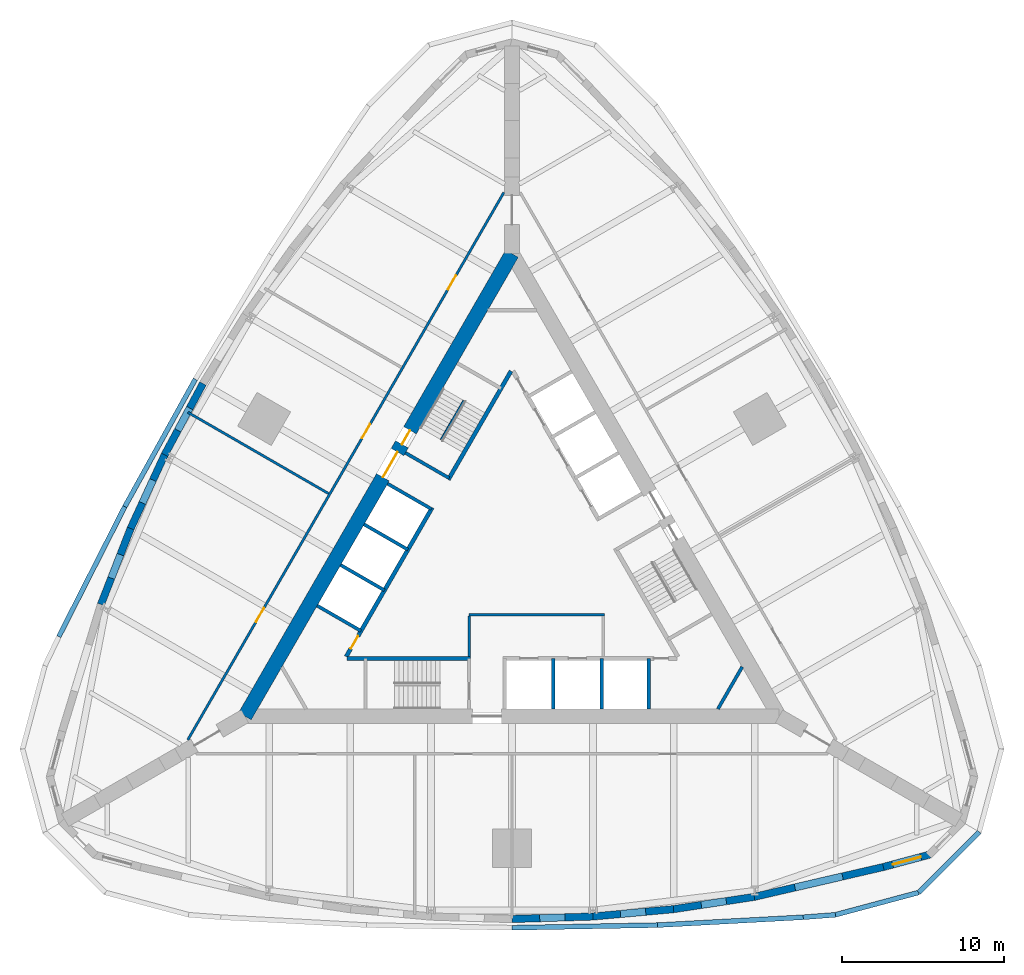
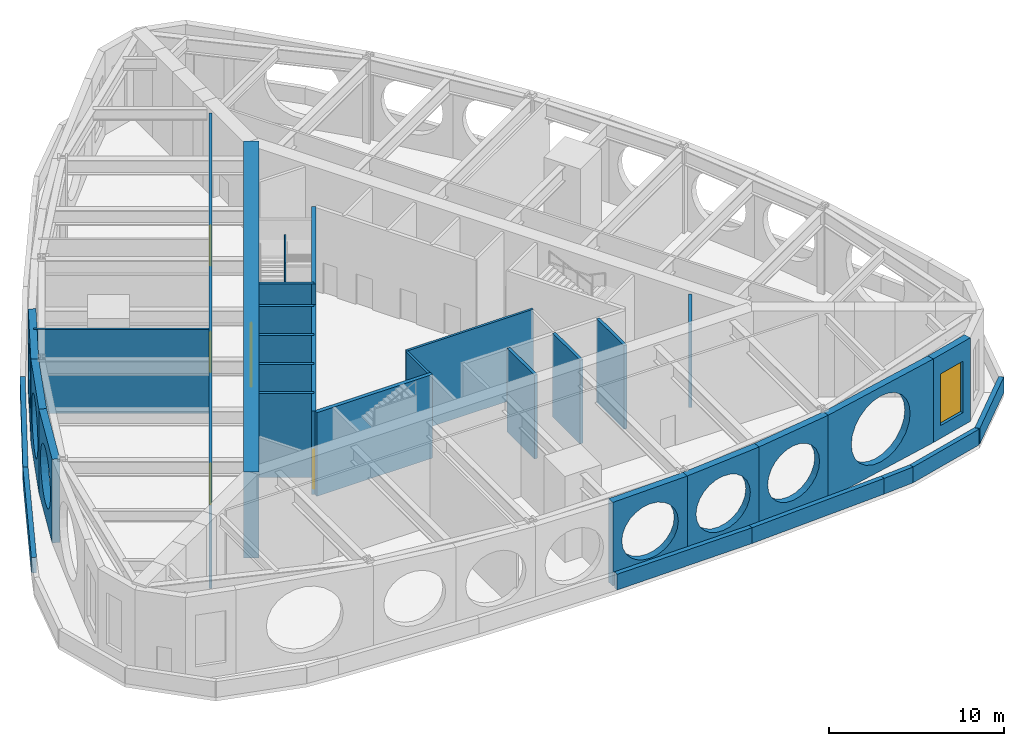
# One storey, part 4 of 8: 33 walls, 6 doors, 1 window, 7 openings.
"""IFC4 building model written with IfcOpenShell, lengths in metres."""

from ifc_helpers import new_model, si_unit, direction, frame, frame_2d, origin, place, context, subcontext, project, spatial, polyline, rectangle, outline, extrude, material, layer, layer_set, type_object, element, fill, save


model = new_model("IFC4")

# Units and contexts
model_context = context("Model", 3, precision=1e-05, world=origin(), true_north=direction((0.0, 1.0)))
body_context = subcontext(model_context, "Body", "Model", "MODEL_VIEW")
ifc_project = project(units=[si_unit("LENGTHUNIT", "METRE"), si_unit("AREAUNIT", "SQUARE_METRE"), si_unit("VOLUMEUNIT", "CUBIC_METRE"), si_unit("PLANEANGLEUNIT", "RADIAN"), si_unit("MASSUNIT", "GRAM", prefix="KILO")], contexts=[model_context])

# Site, building, storey
site_placement = place(None, origin())
site = spatial("IfcSite", under=ifc_project, at=site_placement, CompositionType="ELEMENT")
building_placement = place(site_placement, origin())
building = spatial("IfcBuilding", under=site, at=building_placement, Name="Trikona Tower", CompositionType="ELEMENT")
storey_placement = place(building_placement, frame((0.0, 0.0, 22.5)))
storey = spatial("IfcBuildingStorey", under=building, at=storey_placement, Name="L04", CompositionType="ELEMENT", Elevation=22.5)

# Wall, opening, window
ifc_material_1 = material(Name="Brick-faced precast concrete", Category="masonry")
ifc_layer_1 = layer(ifc_material_1, 0.449951171875)
ifc_layer_set_1 = layer_set([ifc_layer_1], Name="Brick-faced corner wall 450")
wall_type_1 = type_object("IfcWallType", Name="Brick-faced corner wall 450", PredefinedType="SOLIDWALL", material=ifc_layer_set_1)
wall_1_placement = place(storey_placement, frame((22.94189453125, -18.835205078125, 0.0), z_axis=(0.0, 0.0, 1.0), x_axis=(0.965930548995, 0.258801419081, 0.0)))
wall_1 = element("IfcWall", 1, at=wall_1_placement, inside=storey, type_object=wall_type_1, Name="External wall L04-08", PredefinedType="SOLIDWALL", context=body_context, shape_type="SweptSolid", body=[
    extrude(rectangle(XDim=2.988525390625, YDim=0.449951171875, at=frame_2d((1.494140625, 0.0))), origin(), (0.0, 0.0, 1.0), 5.8349609375),
])
opening_1_placement = place(wall_1_placement, frame((0.59423828125, 0.0, 0.89990234375)))
opening_1 = element("IfcOpeningElement", 2, at=opening_1_placement, cuts=wall_1, Name="Opening W1836", PredefinedType="OPENING", context=body_context, shape_type="SweptSolid", body=[
    extrude(rectangle(XDim=1.800048828125, YDim=3.60009765625, at=frame_2d((0.89990234375, 1.800048828125))), frame((0.0, 0.23486328125, 0.0), z_axis=(0.0, -1.0, 0.0), x_axis=(1.0, 0.0, 0.0)), (0.0, 0.0, 1.0), 0.469970703125),
])
ifc_material_2 = material(Name="Aluminium-framed double glazing", Category="aluminium")
window_type = type_object("IfcWindowType", Name="Window 1800x3600", PartitioningType="SINGLE_PANEL", PredefinedType="WINDOW", material=ifc_material_2)
window_placement = place(opening_1_placement, origin())
window = element("IfcWindow", 3, at=window_placement, inside=storey, type_object=window_type, Name="Window L04-RFG1", OverallHeight=3.60009765625, OverallWidth=1.800048828125, PartitioningType="SINGLE_PANEL", PredefinedType="WINDOW", context=body_context, shape_type="SweptSolid", body=[
    extrude(rectangle(XDim=1.800048828125, YDim=3.60009765625, at=frame_2d((0.89990234375, 1.800048828125))), frame((0.0, 0.030029296875, 0.0), z_axis=(0.0, -1.0, 0.0), x_axis=(1.0, 0.0, 0.0)), (0.0, 0.0, 1.0), 0.06005859375),
])
fill(opening_1, window)

# Walls
ifc_material_3 = material(Name="Brick-faced precast concrete with louvred openings", Category="masonry")
ifc_layer_2 = layer(ifc_material_3, 0.449951171875)
ifc_layer_set_2 = layer_set([ifc_layer_2], Name="Brick-faced plant wall 450")
wall_type_2 = type_object("IfcWallType", Name="Brick-faced plant wall 450", PredefinedType="SOLIDWALL", material=ifc_layer_set_2)
wall_2_placement = place(storey_placement, frame((-0.0068359375, -22.047607421875, 0.0), z_axis=(0.0, 0.0, 1.0), x_axis=(0.999537635046, 0.030405856769, 0.0)))
element("IfcWall", 4, at=wall_2_placement, inside=storey, type_object=wall_type_2, Name="External wall L04-04", PredefinedType="SOLIDWALL", context=body_context, shape_type="SweptSolid", body=[
    extrude(outline(polyline([(0.0, 0.0), (5.002197265625, 0.0), (5.002197265625, 5.8349609375), (0.0, 5.8349609375), (0.0, 0.0)]), holes=[polyline([(4.401123046875, 2.91748046875), (4.33642578125, 3.4091796875), (4.146484375, 3.867431640625), (3.8447265625, 4.260986328125), (3.451171875, 4.56298828125), (2.992919921875, 4.752685546875), (2.501220703125, 4.8173828125), (2.009521484375, 4.752685546875), (1.55126953125, 4.56298828125), (1.15771484375, 4.260986328125), (0.855712890625, 3.867431640625), (0.666015625, 3.4091796875), (0.601318359375, 2.91748046875), (0.666015625, 2.42578125), (0.855712890625, 1.967529296875), (1.15771484375, 1.573974609375), (1.55126953125, 1.272216796875), (2.009521484375, 1.082275390625), (2.501220703125, 1.017578125), (2.992919921875, 1.082275390625), (3.451171875, 1.272216796875), (3.8447265625, 1.573974609375), (4.146484375, 1.967529296875), (4.33642578125, 2.42578125), (4.401123046875, 2.91748046875)])]), frame((0.0, 0.22509765625, 0.0), z_axis=(0.0, -1.0, 0.0), x_axis=(1.0, 0.0, 0.0)), (0.0, 0.0, 1.0), 0.449951171875),
])
wall_3_placement = place(storey_placement, frame((4.9794921875, -21.896240234375, 0.0), z_axis=(0.0, 0.0, 1.0), x_axis=(0.995857256774, 0.090930325692, 0.0)))
element("IfcWall", 5, at=wall_3_placement, inside=storey, type_object=wall_type_2, Name="External wall L04-05", PredefinedType="SOLIDWALL", context=body_context, shape_type="SweptSolid", body=[
    extrude(outline(polyline([(0.0, 0.0), (5.020751953125, 0.0), (5.020751953125, 5.8349609375), (0.0, 5.8349609375), (0.0, 0.0)]), holes=[polyline([(4.410400390625, 2.91748046875), (4.345703125, 3.4091796875), (4.15576171875, 3.867431640625), (3.85400390625, 4.260986328125), (3.46044921875, 4.56298828125), (3.002197265625, 4.752685546875), (2.510498046875, 4.8173828125), (2.0185546875, 4.752685546875), (1.560302734375, 4.56298828125), (1.1669921875, 4.260986328125), (0.864990234375, 3.867431640625), (0.675048828125, 3.4091796875), (0.6103515625, 2.91748046875), (0.675048828125, 2.42578125), (0.864990234375, 1.967529296875), (1.1669921875, 1.573974609375), (1.560302734375, 1.272216796875), (2.0185546875, 1.082275390625), (2.510498046875, 1.017578125), (3.002197265625, 1.082275390625), (3.46044921875, 1.272216796875), (3.85400390625, 1.573974609375), (4.15576171875, 1.967529296875), (4.345703125, 2.42578125), (4.410400390625, 2.91748046875)])]), frame((0.0, 0.22509765625, 0.0), z_axis=(0.0, -1.0, 0.0), x_axis=(1.0, 0.0, 0.0)), (0.0, 0.0, 1.0), 0.449951171875),
])
wall_4_placement = place(storey_placement, frame((9.966064453125, -21.44140625, 0.0), z_axis=(0.0, 0.0, 1.0), x_axis=(0.988622582897, 0.150417381265, 0.0)))
element("IfcWall", 6, at=wall_4_placement, inside=storey, type_object=wall_type_2, Name="External wall L04-06", PredefinedType="SOLIDWALL", context=body_context, shape_type="SweptSolid", body=[
    extrude(outline(polyline([(0.0, 0.0), (5.0576171875, 0.0), (5.0576171875, 5.8349609375), (0.0, 5.8349609375), (0.0, 0.0)]), holes=[polyline([(4.4287109375, 2.91748046875), (4.364013671875, 3.4091796875), (4.17431640625, 3.867431640625), (3.872314453125, 4.260986328125), (3.478759765625, 4.56298828125), (3.0205078125, 4.752685546875), (2.52880859375, 4.8173828125), (2.037109375, 4.752685546875), (1.578857421875, 4.56298828125), (1.185302734375, 4.260986328125), (0.88330078125, 3.867431640625), (0.693603515625, 3.4091796875), (0.62890625, 2.91748046875), (0.693603515625, 2.42578125), (0.88330078125, 1.967529296875), (1.185302734375, 1.573974609375), (1.578857421875, 1.272216796875), (2.037109375, 1.082275390625), (2.52880859375, 1.017578125), (3.0205078125, 1.082275390625), (3.478759765625, 1.272216796875), (3.872314453125, 1.573974609375), (4.17431640625, 1.967529296875), (4.364013671875, 2.42578125), (4.4287109375, 2.91748046875)])]), frame((0.0, 0.22509765625, 0.0), z_axis=(0.0, -1.0, 0.0), x_axis=(1.0, 0.0, 0.0)), (0.0, 0.0, 1.0), 0.449951171875),
])
wall_5_placement = place(storey_placement, frame((14.94921875, -20.683837890625, 0.0), z_axis=(0.0, 0.0, 1.0), x_axis=(0.974279327392, 0.225343720163, 0.0)))
element("IfcWall", 7, at=wall_5_placement, inside=storey, type_object=wall_type_2, Name="External wall L04-07", PredefinedType="SOLIDWALL", context=body_context, shape_type="SweptSolid", body=[
    extrude(outline(polyline([(0.0, 0.0), (8.211181640625, 0.0), (8.211181640625, 5.8349609375), (0.0, 5.8349609375), (0.0, 0.0)]), holes=[polyline([(6.405517578125, 2.91748046875), (6.3271484375, 3.5126953125), (6.097412109375, 4.0673828125), (5.73193359375, 4.543701171875), (5.255615234375, 4.909423828125), (4.700927734375, 5.13916015625), (4.105712890625, 5.217529296875), (3.51025390625, 5.13916015625), (2.95556640625, 4.909423828125), (2.479248046875, 4.543701171875), (2.11376953125, 4.0673828125), (1.884033203125, 3.5126953125), (1.8056640625, 2.91748046875), (1.884033203125, 2.322265625), (2.11376953125, 1.767578125), (2.479248046875, 1.291259765625), (2.95556640625, 0.925537109375), (3.51025390625, 0.69580078125), (4.105712890625, 0.617431640625), (4.700927734375, 0.69580078125), (5.255615234375, 0.925537109375), (5.73193359375, 1.291259765625), (6.097412109375, 1.767578125), (6.3271484375, 2.322265625), (6.405517578125, 2.91748046875)])]), frame((0.0, 0.22509765625, 0.0), z_axis=(0.0, -1.0, 0.0), x_axis=(1.0, 0.0, 0.0)), (0.0, 0.0, 1.0), 0.449951171875),
])
wall_6_placement = place(storey_placement, frame((-19.09033203125, 11.02978515625, 0.0), z_axis=(0.0, 0.0, 1.0), x_axis=(-0.473412820489, -0.880840678782, 0.0)))
element("IfcWall", 8, at=wall_6_placement, inside=storey, type_object=wall_type_2, Name="External wall L04-28", PredefinedType="SOLIDWALL", context=body_context, shape_type="SweptSolid", body=[
    extrude(outline(polyline([(0.0, 0.0), (5.00244140625, 0.0), (5.00244140625, 5.8349609375), (0.0, 5.8349609375), (0.0, 0.0)]), holes=[polyline([(4.401123046875, 2.91748046875), (4.33642578125, 3.4091796875), (4.146484375, 3.867431640625), (3.8447265625, 4.260986328125), (3.451171875, 4.56298828125), (2.992919921875, 4.752685546875), (2.501220703125, 4.8173828125), (2.009521484375, 4.752685546875), (1.551025390625, 4.56298828125), (1.15771484375, 4.260986328125), (0.855712890625, 3.867431640625), (0.666015625, 3.4091796875), (0.60107421875, 2.91748046875), (0.666015625, 2.42578125), (0.855712890625, 1.967529296875), (1.15771484375, 1.573974609375), (1.551025390625, 1.272216796875), (2.009521484375, 1.082275390625), (2.501220703125, 1.017578125), (2.992919921875, 1.082275390625), (3.451171875, 1.272216796875), (3.8447265625, 1.573974609375), (4.146484375, 1.967529296875), (4.33642578125, 2.42578125), (4.401123046875, 2.91748046875)])]), frame((0.0, 0.22509765625, 0.0), z_axis=(0.0, -1.0, 0.0), x_axis=(1.0, 0.0, 0.0)), (0.0, 0.0, 1.0), 0.449951171875),
])
wall_7_placement = place(storey_placement, frame((-21.452392578125, 6.6357421875, 0.0), z_axis=(0.0, 0.0, 1.0), x_axis=(-0.419203100754, -0.907892482796, 0.0)))
element("IfcWall", 9, at=wall_7_placement, inside=storey, type_object=wall_type_2, Name="External wall L04-29", PredefinedType="SOLIDWALL", context=body_context, shape_type="SweptSolid", body=[
    extrude(outline(polyline([(0.0, 0.0), (5.020751953125, 0.0), (5.020751953125, 5.8349609375), (0.0, 5.8349609375), (0.0, 0.0)]), holes=[polyline([(4.410400390625, 2.91748046875), (4.345703125, 3.4091796875), (4.156005859375, 3.867431640625), (3.85400390625, 4.260986328125), (3.46044921875, 4.56298828125), (3.002197265625, 4.752685546875), (2.510498046875, 4.8173828125), (2.018798828125, 4.752685546875), (1.560302734375, 4.56298828125), (1.1669921875, 4.260986328125), (0.864990234375, 3.867431640625), (0.67529296875, 3.4091796875), (0.6103515625, 2.91748046875), (0.67529296875, 2.42578125), (0.864990234375, 1.967529296875), (1.1669921875, 1.573974609375), (1.560302734375, 1.272216796875), (2.018798828125, 1.082275390625), (2.510498046875, 1.017578125), (3.002197265625, 1.082275390625), (3.46044921875, 1.272216796875), (3.85400390625, 1.573974609375), (4.156005859375, 1.967529296875), (4.345703125, 2.42578125), (4.410400390625, 2.91748046875)])]), frame((0.0, 0.22509765625, 0.0), z_axis=(0.0, -1.0, 0.0), x_axis=(1.0, 0.0, 0.0)), (0.0, 0.0, 1.0), 0.449951171875),
])
wall_8_placement = place(storey_placement, frame((-23.552001953125, 2.08984375, 0.0), z_axis=(0.0, 0.0, 1.0), x_axis=(-0.363971587738, -0.931410051116, 0.0)))
element("IfcWall", 10, at=wall_8_placement, inside=storey, type_object=wall_type_2, Name="External wall L04-30", PredefinedType="SOLIDWALL", context=body_context, shape_type="SweptSolid", body=[
    extrude(outline(polyline([(0.0, 0.0), (5.0576171875, 0.0), (5.0576171875, 5.8349609375), (0.0, 5.8349609375), (0.0, 0.0)]), holes=[polyline([(4.4287109375, 2.91748046875), (4.364013671875, 3.4091796875), (4.17431640625, 3.867431640625), (3.872314453125, 4.260986328125), (3.478759765625, 4.56298828125), (3.0205078125, 4.752685546875), (2.52880859375, 4.8173828125), (2.037109375, 4.752685546875), (1.578857421875, 4.56298828125), (1.185302734375, 4.260986328125), (0.88330078125, 3.867431640625), (0.693603515625, 3.4091796875), (0.62890625, 2.91748046875), (0.693603515625, 2.42578125), (0.88330078125, 1.967529296875), (1.185302734375, 1.573974609375), (1.578857421875, 1.272216796875), (2.037109375, 1.082275390625), (2.52880859375, 1.017578125), (3.0205078125, 1.082275390625), (3.478759765625, 1.272216796875), (3.872314453125, 1.573974609375), (4.17431640625, 1.967529296875), (4.364013671875, 2.42578125), (4.4287109375, 2.91748046875)])]), frame((0.0, 0.22509765625, 0.0), z_axis=(0.0, -1.0, 0.0), x_axis=(1.0, 0.0, 0.0)), (0.0, 0.0, 1.0), 0.449951171875),
])

# Wall, openings, doors
ifc_material_4 = material(Name="Concrete f'c 10000 psi", Category="concrete")
ifc_layer_3 = layer(ifc_material_4, 0.89990234375)
ifc_layer_set_3 = layer_set([ifc_layer_3], Name="Core wall 900")
wall_type_3 = type_object("IfcWallType", Name="Core wall 900", PredefinedType="SHEAR", material=ifc_layer_set_3)
wall_9_placement = place(storey_placement, frame((0.0, 19.052490234375, 0.0), z_axis=(0.0, 0.0, 1.0), x_axis=(-0.499999749417, -0.866025548458, 0.0)))
wall_9 = element("IfcWall", 11, at=wall_9_placement, inside=storey, type_object=wall_type_3, Name="Core wall C", PredefinedType="SHEAR", context=body_context, shape_type="SweptSolid", body=[
    extrude(rectangle(XDim=33.0, YDim=0.89990234375, at=frame_2d((16.5, 0.0))), origin(), (0.0, 0.0, 1.0), 6.0),
])
opening_2_placement = place(wall_9_placement, frame((14.14990234375, 0.0, 0.0)))
opening_2 = element("IfcOpeningElement", 12, at=opening_2_placement, cuts=wall_9, Name="Opening D6", PredefinedType="OPENING", context=body_context, shape_type="SweptSolid", body=[
    extrude(rectangle(XDim=1.800048828125, YDim=2.1298828125, at=frame_2d((0.89990234375, 1.06494140625))), frame((0.0, 0.4599609375, 0.0), z_axis=(0.0, -1.0, 0.0), x_axis=(1.0, 0.0, 0.0)), (0.0, 0.0, 1.0), 0.919921875),
])
opening_3_placement = place(wall_9_placement, frame((12.60009765625, 0.0, 0.0)))
opening_3 = element("IfcOpeningElement", 13, at=opening_3_placement, cuts=wall_9, Name="Opening D5", PredefinedType="OPENING", context=body_context, shape_type="SweptSolid", body=[
    extrude(rectangle(XDim=1.0, YDim=2.1298828125, at=frame_2d((0.5, 1.06494140625))), frame((0.0, 0.4599609375, 0.0), z_axis=(0.0, -1.0, 0.0), x_axis=(1.0, 0.0, 0.0)), (0.0, 0.0, 1.0), 0.919921875),
])
ifc_material_5 = material(Name="Hollow metal door and frame", Category="steel")
door_type_1 = type_object("IfcDoorType", Name="Lobby door pair 1800x2130", OperationType="DOUBLE_DOOR_SINGLE_SWING", PredefinedType="DOOR", material=ifc_material_5)
door_1_placement = place(opening_2_placement, origin())
door_1 = element("IfcDoor", 14, at=door_1_placement, inside=storey, type_object=door_type_1, Name="Lift lobby door C", OperationType="DOUBLE_DOOR_SINGLE_SWING", OverallHeight=2.1298828125, OverallWidth=1.800048828125, PredefinedType="DOOR", context=body_context, shape_type="SweptSolid", body=[
    extrude(rectangle(XDim=1.800048828125, YDim=2.1298828125, at=frame_2d((0.89990234375, 1.06494140625))), frame((0.0, 0.02490234375, 0.0), z_axis=(0.0, -1.0, 0.0), x_axis=(1.0, 0.0, 0.0)), (0.0, 0.0, 1.0), 0.050048828125),
])
fill(opening_2, door_1)
ifc_material_6 = material(Name="Hollow metal door and frame", Category="steel")
door_type_2 = type_object("IfcDoorType", Name="Stair door 1000x2130", OperationType="SINGLE_SWING_LEFT", PredefinedType="DOOR", material=ifc_material_6)
door_2_placement = place(opening_3_placement, origin())
door_2 = element("IfcDoor", 15, at=door_2_placement, inside=storey, type_object=door_type_2, Name="Stair C door", OperationType="SINGLE_SWING_RIGHT", OverallHeight=2.1298828125, OverallWidth=1.0, PredefinedType="DOOR", context=body_context, shape_type="SweptSolid", body=[
    extrude(rectangle(XDim=1.0, YDim=2.1298828125, at=frame_2d((0.5, 1.06494140625))), frame((0.0, 0.02490234375, 0.0), z_axis=(0.0, -1.0, 0.0), x_axis=(1.0, 0.0, 0.0)), (0.0, 0.0, 1.0), 0.050048828125),
])
fill(opening_3, door_2)

ifc_material_7 = material(Name="Metal stud and gypsum board, 1-hour", Category="gypsum")
ifc_layer_4 = layer(ifc_material_7, 0.14990234375)
ifc_layer_set_4 = layer_set([ifc_layer_4], Name="Corridor wall 150")
wall_type_4 = type_object("IfcWallType", Name="Corridor wall 150", PredefinedType="PARTITIONING", material=ifc_layer_set_4)
wall_10_placement = place(storey_placement, frame((-0.5, 22.83642578125, 0.0), z_axis=(0.0, 0.0, 1.0), x_axis=(-0.500001677587, -0.866024435227, 0.0)))
wall_10 = element("IfcWall", 16, at=wall_10_placement, inside=storey, type_object=wall_type_4, Name="Corridor wall L04-3", PredefinedType="PARTITIONING", context=body_context, shape_type="SweptSolid", body=[
    extrude(rectangle(XDim=39.053955078125, YDim=0.14990234375, at=frame_2d((19.52685546875, 0.0))), origin(), (0.0, 0.0, 1.0), 5.8349609375),
])
opening_4_placement = place(wall_10_placement, frame((5.91357421875, 0.0, 0.0)))
opening_4 = element("IfcOpeningElement", 17, at=opening_4_placement, cuts=wall_10, Name="Opening D3", PredefinedType="OPENING", context=body_context, shape_type="SweptSolid", body=[
    extrude(rectangle(XDim=1.0, YDim=2.1298828125, at=frame_2d((0.5, 1.06494140625))), frame((0.0, 0.0849609375, 0.0), z_axis=(0.0, -1.0, 0.0), x_axis=(1.0, 0.0, 0.0)), (0.0, 0.0, 1.0), 0.169921875),
])
opening_5_placement = place(wall_10_placement, frame((16.527099609375, 0.0, 0.0)))
opening_5 = element("IfcOpeningElement", 18, at=opening_5_placement, cuts=wall_10, Name="Opening D3", PredefinedType="OPENING", context=body_context, shape_type="SweptSolid", body=[
    extrude(rectangle(XDim=1.0, YDim=2.1298828125, at=frame_2d((0.5, 1.06494140625))), frame((0.0, 0.0849609375, 0.0), z_axis=(0.0, -1.0, 0.0), x_axis=(1.0, 0.0, 0.0)), (0.0, 0.0, 1.0), 0.169921875),
])
opening_6_placement = place(wall_10_placement, frame((29.640380859375, 0.0, 0.0)))
opening_6 = element("IfcOpeningElement", 19, at=opening_6_placement, cuts=wall_10, Name="Opening D3", PredefinedType="OPENING", context=body_context, shape_type="SweptSolid", body=[
    extrude(rectangle(XDim=1.0, YDim=2.1298828125, at=frame_2d((0.5, 1.06494140625))), frame((0.0, 0.0849609375, 0.0), z_axis=(0.0, -1.0, 0.0), x_axis=(1.0, 0.0, 0.0)), (0.0, 0.0, 1.0), 0.169921875),
])
ifc_material_8 = material(Name="Steel door frame with solid-core timber leaf", Category="steel")
door_type_3 = type_object("IfcDoorType", Name="Room door 1000x2130", OperationType="SINGLE_SWING_LEFT", PredefinedType="DOOR", material=ifc_material_8)
door_3_placement = place(opening_4_placement, origin())
door_3 = element("IfcDoor", 20, at=door_3_placement, inside=storey, type_object=door_type_3, Name="Door Domestic water tank room", OperationType="SINGLE_SWING_LEFT", OverallHeight=2.1298828125, OverallWidth=1.0, PredefinedType="DOOR", context=body_context, shape_type="SweptSolid", body=[
    extrude(rectangle(XDim=1.0, YDim=2.1298828125, at=frame_2d((0.5, 1.06494140625))), frame((0.0, 0.02490234375, 0.0), z_axis=(0.0, -1.0, 0.0), x_axis=(1.0, 0.0, 0.0)), (0.0, 0.0, 1.0), 0.050048828125),
])
fill(opening_4, door_3)
door_4_placement = place(opening_5_placement, origin())
door_4 = element("IfcDoor", 21, at=door_4_placement, inside=storey, type_object=door_type_3, Name="Door Domestic water booster plant room", OperationType="SINGLE_SWING_RIGHT", OverallHeight=2.1298828125, OverallWidth=1.0, PredefinedType="DOOR", context=body_context, shape_type="SweptSolid", body=[
    extrude(rectangle(XDim=1.0, YDim=2.1298828125, at=frame_2d((0.5, 1.06494140625))), frame((0.0, 0.02490234375, 0.0), z_axis=(0.0, -1.0, 0.0), x_axis=(1.0, 0.0, 0.0)), (0.0, 0.0, 1.0), 0.050048828125),
])
fill(opening_5, door_4)
door_5_placement = place(opening_6_placement, origin())
door_5 = element("IfcDoor", 22, at=door_5_placement, inside=storey, type_object=door_type_3, Name="Door Air handling plant", OperationType="SINGLE_SWING_LEFT", OverallHeight=2.1298828125, OverallWidth=1.0, PredefinedType="DOOR", context=body_context, shape_type="SweptSolid", body=[
    extrude(rectangle(XDim=1.0, YDim=2.1298828125, at=frame_2d((0.5, 1.06494140625))), frame((0.0, 0.02490234375, 0.0), z_axis=(0.0, -1.0, 0.0), x_axis=(1.0, 0.0, 0.0)), (0.0, 0.0, 1.0), 0.050048828125),
])
fill(opening_6, door_5)

# Walls
ifc_material_9 = material(Name="Concrete f'c 8000 psi", Category="concrete")
ifc_layer_5 = layer(ifc_material_9, 0.25)
ifc_layer_set_5 = layer_set([ifc_layer_5], Name="Hub wall 250")
wall_type_5 = type_object("IfcWallType", Name="Hub wall 250", PredefinedType="SOLIDWALL", material=ifc_layer_set_5)
wall_11_placement = place(storey_placement, frame((-10.182861328125, -5.951416015625, 0.0), z_axis=(0.0, 0.0, 1.0), x_axis=(1.0, 0.0, 0.0)))
element("IfcWall", 23, at=wall_11_placement, inside=storey, type_object=wall_type_5, Name="Lift lobby wall A1", PredefinedType="SOLIDWALL", context=body_context, shape_type="SweptSolid", body=[
    extrude(rectangle(XDim=7.6328125, YDim=0.25, at=frame_2d((3.81640625, 0.0))), origin(), (0.0, 0.0, 1.0), 5.8349609375),
])
wall_12_placement = place(storey_placement, frame((-0.0625, 11.794189453125, 0.0), z_axis=(0.0, 0.0, 1.0), x_axis=(-0.500006680225, -0.86602154692, 0.0)))
element("IfcWall", 24, at=wall_12_placement, inside=storey, type_object=wall_type_5, Name="Lift lobby wall C1", PredefinedType="SOLIDWALL", context=body_context, shape_type="SweptSolid", body=[
    extrude(rectangle(XDim=7.73291015625, YDim=0.25, at=frame_2d((3.866455078125, 0.0))), origin(), (0.0, 0.0, 1.0), 5.8349609375),
])

# Wall, opening, door
wall_13_placement = place(storey_placement, frame((-4.928955078125, 3.365478515625, 0.0), z_axis=(0.0, 0.0, 1.0), x_axis=(-0.499991433582, -0.866030349552, 0.0)))
wall_13 = element("IfcWall", 25, at=wall_13_placement, inside=storey, type_object=wall_type_5, Name="Lift lobby wall C2", PredefinedType="SOLIDWALL", context=body_context, shape_type="SweptSolid", body=[
    extrude(rectangle(XDim=10.633056640625, YDim=0.25, at=frame_2d((5.31640625, 0.0))), origin(), (0.0, 0.0, 1.0), 5.8349609375),
])
opening_7_placement = place(wall_13_placement, frame((9.1640625, 0.0, 0.0)))
opening_7 = element("IfcOpeningElement", 26, at=opening_7_placement, cuts=wall_13, Name="Opening D14", PredefinedType="OPENING", context=body_context, shape_type="SweptSolid", body=[
    extrude(rectangle(XDim=0.89990234375, YDim=2.1298828125, at=frame_2d((0.449951171875, 1.06494140625))), frame((0.0, 0.135009765625, 0.0), z_axis=(0.0, -1.0, 0.0), x_axis=(1.0, 0.0, 0.0)), (0.0, 0.0, 1.0), 0.27001953125),
])
ifc_material_10 = material(Name="Hollow metal door and frame", Category="steel")
door_type_4 = type_object("IfcDoorType", Name="Service room door 900x2130", OperationType="SINGLE_SWING_LEFT", PredefinedType="DOOR", material=ifc_material_10)
door_6_placement = place(opening_7_placement, origin())
door_6 = element("IfcDoor", 27, at=door_6_placement, inside=storey, type_object=door_type_4, Name="Door Plant store PST", OperationType="SINGLE_SWING_RIGHT", OverallHeight=2.1298828125, OverallWidth=0.89990234375, PredefinedType="DOOR", context=body_context, shape_type="SweptSolid", body=[
    extrude(rectangle(XDim=0.89990234375, YDim=2.1298828125, at=frame_2d((0.449951171875, 1.06494140625))), frame((0.0, 0.02490234375, 0.0), z_axis=(0.0, -1.0, 0.0), x_axis=(1.0, 0.0, 0.0)), (0.0, 0.0, 1.0), 0.050048828125),
])
fill(opening_7, door_6)

# Walls
ifc_material_11 = material(Name="Metal stud and gypsum board, 2-hour shaft wall", Category="gypsum")
ifc_layer_6 = layer(ifc_material_11, 0.14990234375)
ifc_layer_set_6 = layer_set([ifc_layer_6], Name="Lobby wall 150")
wall_type_6 = type_object("IfcWallType", Name="Lobby wall 150", PredefinedType="PARTITIONING", material=ifc_layer_set_6)
wall_14_placement = place(storey_placement, frame((-2.64990234375, -3.251220703125, 0.0), z_axis=(0.0, 0.0, 1.0), x_axis=(1.0, 0.0, 0.0)))
element("IfcWall", 28, at=wall_14_placement, inside=storey, type_object=wall_type_6, Name="Fire service lift lobby wall 1", PredefinedType="PARTITIONING", context=body_context, shape_type="SweptSolid", body=[
    extrude(rectangle(XDim=8.349853515625, YDim=0.14990234375, at=frame_2d((4.1748046875, 0.0))), origin(), (0.0, 0.0, 1.0), 5.8349609375),
])
wall_15_placement = place(storey_placement, frame((-2.64990234375, -5.826416015625, 0.0), z_axis=(0.0, 0.0, 1.0), x_axis=(0.0, 1.0, 0.0)))
element("IfcWall", 29, at=wall_15_placement, inside=storey, type_object=wall_type_6, Name="Fire service lift lobby wall 2", PredefinedType="PARTITIONING", context=body_context, shape_type="SweptSolid", body=[
    extrude(rectangle(XDim=2.5, YDim=0.14990234375, at=frame_2d((1.25, 0.0))), origin(), (0.0, 0.0, 1.0), 5.8349609375),
])
ifc_material_12 = material(Name="Brick-faced precast concrete", Category="masonry")
ifc_layer_7 = layer(ifc_material_12, 0.300048828125)
ifc_layer_set_7 = layer_set([ifc_layer_7], Name="Parapet wall 300")
wall_type_7 = type_object("IfcWallType", Name="Parapet wall 300", PredefinedType="PARAPET", material=ifc_layer_set_7)
wall_16_placement = place(storey_placement, frame((-27.9970703125, -4.609130859375, 0.0), z_axis=(0.0, 0.0, 1.0), x_axis=(0.452582301023, 0.891722636699, 0.0)))
element("IfcWall", 30, at=wall_16_placement, inside=storey, type_object=wall_type_7, Name="Parapet L04-05", PredefinedType="PARAPET", context=body_context, shape_type="SweptSolid", body=[
    extrude(rectangle(XDim=9.008544921875, YDim=0.300048828125, at=frame_2d((4.50439453125, 0.0))), origin(), (0.0, 0.0, 1.0), 1.10009765625),
])
wall_17_placement = place(storey_placement, frame((-23.919921875, 3.424072265625, 0.0), z_axis=(0.0, 0.0, 1.0), x_axis=(0.484315141127, 0.874893618719, 0.0)))
element("IfcWall", 31, at=wall_17_placement, inside=storey, type_object=wall_type_7, Name="Parapet L04-06", PredefinedType="PARAPET", context=body_context, shape_type="SweptSolid", body=[
    extrude(rectangle(XDim=8.99609375, YDim=0.300048828125, at=frame_2d((4.498046875, 0.0))), origin(), (0.0, 0.0, 1.0), 1.10009765625),
])
wall_18_placement = place(storey_placement, frame((28.865478515625, -16.66552734375, 0.0), z_axis=(0.0, 0.0, 1.0), x_axis=(-0.707083744265, -0.707129817357, 0.0)))
element("IfcWall", 32, at=wall_18_placement, inside=storey, type_object=wall_type_7, Name="Parapet L04-22", PredefinedType="PARAPET", context=body_context, shape_type="SweptSolid", body=[
    extrude(rectangle(XDim=5.299072265625, YDim=0.300048828125, at=frame_2d((2.6494140625, 0.0))), origin(), (0.0, 0.0, 1.0), 1.10009765625),
])
wall_19_placement = place(storey_placement, frame((25.11865234375, -20.41259765625, 0.0), z_axis=(0.0, 0.0, 1.0), x_axis=(-0.965933728026, -0.258789553617, 0.0)))
element("IfcWall", 33, at=wall_19_placement, inside=storey, type_object=wall_type_7, Name="Parapet L04-23", PredefinedType="PARAPET", context=body_context, shape_type="SweptSolid", body=[
    extrude(rectangle(XDim=5.325439453125, YDim=0.300048828125, at=frame_2d((2.66259765625, 0.0))), origin(), (0.0, 0.0, 1.0), 1.10009765625),
])
wall_20_placement = place(storey_placement, frame((19.974609375, -21.790771484375, 0.0), z_axis=(0.0, 0.0, 1.0), x_axis=(-0.997121928925, -0.075814634852, 0.0)))
element("IfcWall", 34, at=wall_20_placement, inside=storey, type_object=wall_type_7, Name="Parapet L04-24", PredefinedType="PARAPET", context=body_context, shape_type="SweptSolid", body=[
    extrude(rectangle(XDim=1.989990234375, YDim=0.300048828125, at=frame_2d((0.9951171875, 0.0))), origin(), (0.0, 0.0, 1.0), 1.10009765625),
])
wall_21_placement = place(storey_placement, frame((17.990234375, -21.941650390625, 0.0), z_axis=(0.0, 0.0, 1.0), x_axis=(-0.998544719783, -0.053929978624, 0.0)))
element("IfcWall", 35, at=wall_21_placement, inside=storey, type_object=wall_type_7, Name="Parapet L04-25", PredefinedType="PARAPET", context=body_context, shape_type="SweptSolid", body=[
    extrude(rectangle(XDim=9.0087890625, YDim=0.300048828125, at=frame_2d((4.50439453125, 0.0))), origin(), (0.0, 0.0, 1.0), 1.10009765625),
])
wall_22_placement = place(storey_placement, frame((8.99462890625, -22.427490234375, 0.0), z_axis=(0.0, 0.0, 1.0), x_axis=(-0.999838115527, -0.017992852467, 0.0)))
element("IfcWall", 36, at=wall_22_placement, inside=storey, type_object=wall_type_7, Name="Parapet L04-26", PredefinedType="PARAPET", context=body_context, shape_type="SweptSolid", body=[
    extrude(rectangle(XDim=8.99609375, YDim=0.300048828125, at=frame_2d((4.498046875, 0.0))), origin(), (0.0, 0.0, 1.0), 1.10009765625),
])
ifc_material_13 = material(Name="Metal stud and gypsum board, 1-hour acoustic", Category="gypsum")
ifc_layer_8 = layer(ifc_material_13, 0.14990234375)
ifc_layer_set_8 = layer_set([ifc_layer_8], Name="Party wall 150")
wall_type_8 = type_object("IfcWallType", Name="Party wall 150", PredefinedType="PARTITIONING", material=ifc_layer_set_8)
wall_23_placement = place(storey_placement, frame((-11.32861328125, 4.231201171875, 0.0), z_axis=(0.0, 0.0, 1.0), x_axis=(-0.866024745713, 0.500001139812, 0.0)))
element("IfcWall", 37, at=wall_23_placement, inside=storey, type_object=wall_type_8, Name="Partition L04 F3 u2", PredefinedType="PARTITIONING", context=body_context, shape_type="SweptSolid", body=[
    extrude(rectangle(XDim=10.03515625, YDim=0.14990234375, at=frame_2d((5.017578125, 0.0))), origin(), (0.0, 0.0, 1.0), 5.8349609375),
])
ifc_material_14 = material(Name="Concrete f'c 8000 psi", Category="concrete")
ifc_layer_9 = layer(ifc_material_14, 0.199951171875)
ifc_layer_set_9 = layer_set([ifc_layer_9], Name="Shaft wall 200")
wall_type_9 = type_object("IfcWallType", Name="Shaft wall 200", PredefinedType="SOLIDWALL", material=ifc_layer_set_9)
for number, where, z_axis, x_axis, name in (
    (38, (2.550048828125, -5.951416015625, 0.0), (0.0, 0.0, 1.0), (0.0, -1.0, 0.0), "Shaft wall A4"),
    (39, (5.550048828125, -5.951416015625, 0.0), (0.0, 0.0, 1.0), (0.0, -1.0, 0.0), "Shaft wall A5"),
    (40, (8.449951171875, -5.951416015625, 0.0), (0.0, 0.0, 1.0), (0.0, -1.0, 0.0), "Shaft wall A6"),
    (41, (-4.97900390625, 3.27880859375, 0.0), (0.0, 0.0, 1.0), (-0.866022959057, 0.500004234368, 0.0), "Shaft wall C3"),
    (42, (-6.428955078125, 0.767333984375, 0.0), (0.0, 0.0, 1.0), (-0.866022959057, 0.500004234368, 0.0), "Shaft wall C4"),
    (43, (-7.87890625, -1.744140625, 0.0), (0.0, 0.0, 1.0), (-0.866022959057, 0.500004234368, 0.0), "Shaft wall C5"),
    (44, (-9.3291015625, -4.255615234375, 0.0), (0.0, 0.0, 1.0), (-0.866022959057, 0.500004234368, 0.0), "Shaft wall C6"),
):
    element("IfcWall", number, at=place(storey_placement, frame(where, z_axis=z_axis, x_axis=x_axis)), inside=storey, type_object=wall_type_9, Name=name, PredefinedType="SOLIDWALL", context=body_context, shape_type="SweptSolid", body=[
        extrude(rectangle(XDim=3.125, YDim=0.199951171875, at=frame_2d((1.5625, 0.0))), origin(), (0.0, 0.0, 1.0), 5.8349609375),
    ])
wall_24_placement = place(storey_placement, frame((14.219482421875, -6.476318359375, 0.0), z_axis=(0.0, 0.0, 1.0), x_axis=(-0.499952404951, -0.866052881055, 0.0)))
element("IfcWall", 45, at=wall_24_placement, inside=storey, type_object=wall_type_9, Name="Riser wall L04-RS1", PredefinedType="SOLIDWALL", context=body_context, shape_type="SweptSolid", body=[
    extrude(rectangle(XDim=3.002197265625, YDim=0.199951171875, at=frame_2d((1.5009765625, 0.0))), origin(), (0.0, 0.0, 1.0), 5.8349609375),
])
ifc_material_15 = material(Name="Concrete f'c 8000 psi", Category="concrete")
ifc_layer_10 = layer(ifc_material_15, 0.199951171875)
ifc_layer_set_10 = layer_set([ifc_layer_10], Name="Shaft wall 200 load-bearing")
wall_type_10 = type_object("IfcWallType", Name="Shaft wall 200 load-bearing", PredefinedType="SOLIDWALL", material=ifc_layer_set_10)
wall_25_placement = place(storey_placement, frame((-3.87890625, 5.18408203125, 0.0), z_axis=(0.0, 0.0, 1.0), x_axis=(-0.866022959057, 0.500004234368, 0.0)))
element("IfcWall", 46, at=wall_25_placement, inside=storey, type_object=wall_type_10, Name="Shaft wall C2", PredefinedType="SOLIDWALL", context=body_context, shape_type="SweptSolid", body=[
    extrude(rectangle(XDim=3.125, YDim=0.199951171875, at=frame_2d((1.5625, 0.0))), origin(), (0.0, 0.0, 1.0), 5.8349609375),
])
ifc_material_16 = material(Name="Concrete f'c 5000 psi", Category="concrete")
ifc_layer_11 = layer(ifc_material_16, 0.10009765625)
ifc_layer_set_11 = layer_set([ifc_layer_11], Name="Stair spine wall 100")
wall_type_11 = type_object("IfcWallType", Name="Stair spine wall 100", PredefinedType="SOLIDWALL", material=ifc_layer_set_11)
wall_26_placement = place(storey_placement, frame((-2.98779296875, 9.9775390625, 0.0), z_axis=(0.0, 0.0, 1.0), x_axis=(-0.499992232847, -0.866029888106, 0.0)))
element("IfcWall", 47, at=wall_26_placement, inside=storey, type_object=wall_type_11, Name="Stair C spine wall L04", PredefinedType="SOLIDWALL", context=body_context, shape_type="SweptSolid", body=[
    extrude(rectangle(XDim=2.7939453125, YDim=0.10009765625, at=frame_2d((1.39697265625, 0.0))), origin(), (0.0, 0.0, 1.0), 6.0),
])

save(model, "model.ifc")
